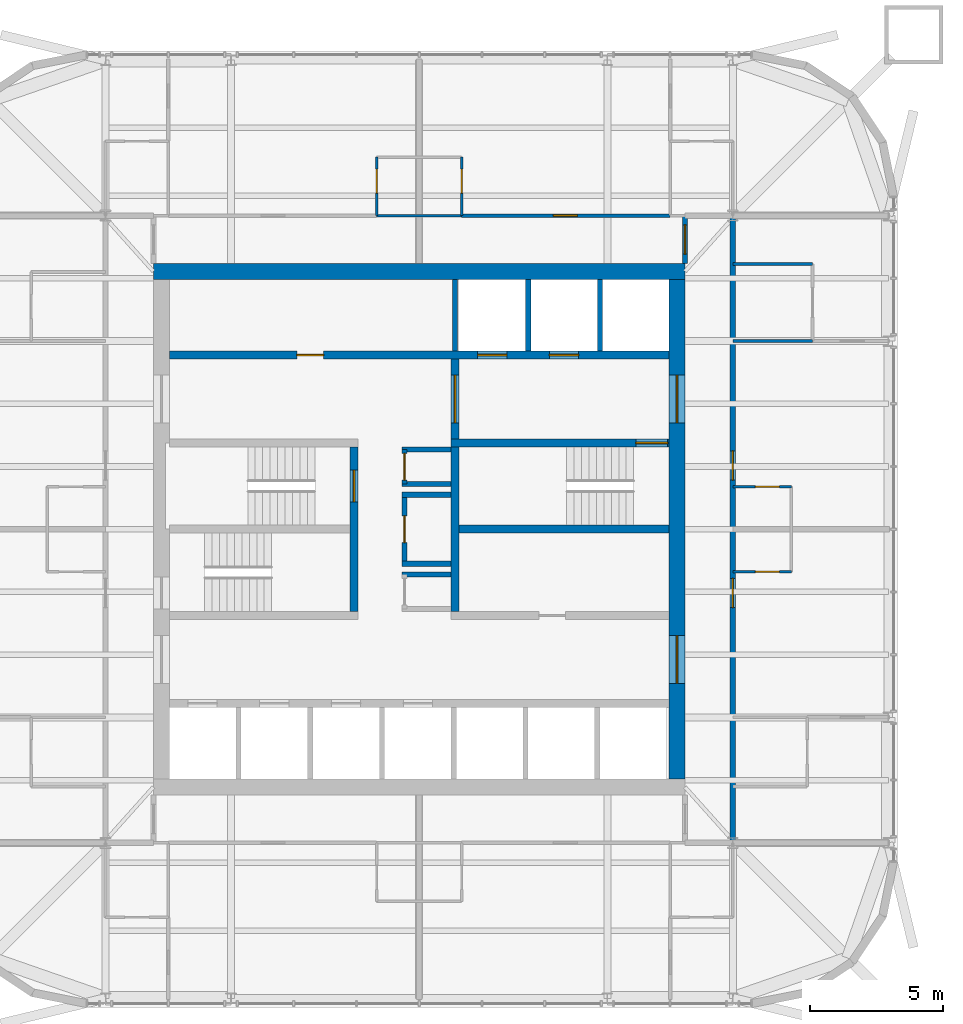
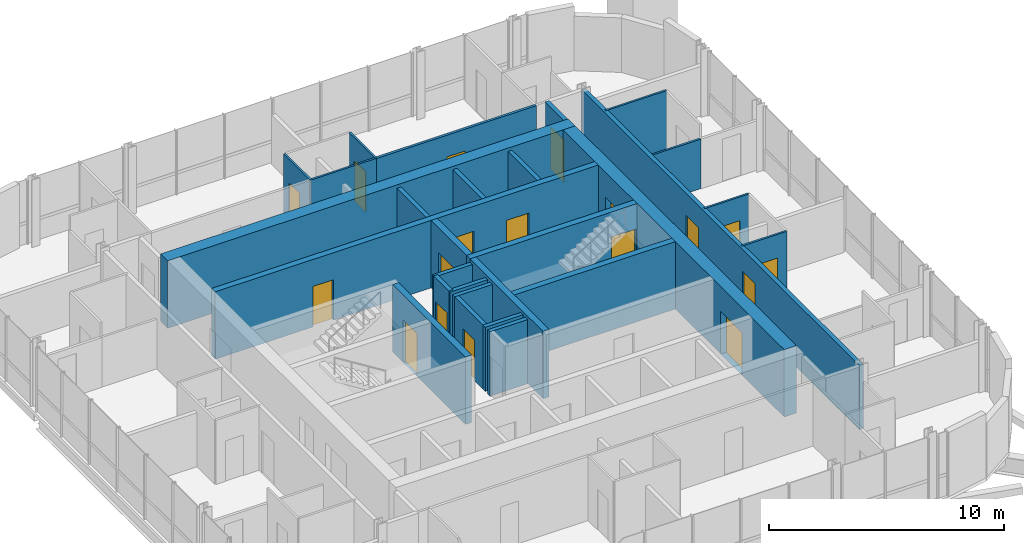
# One storey, part 14 of 16: 27 walls, 18 doors, 18 openings.
"""IFC4 building model written with IfcOpenShell, lengths in metres."""

from ifc_helpers import new_model, si_unit, direction, frame, frame_2d, origin, place, context, subcontext, project, spatial, rectangle, extrude, material, layer, layer_set, type_object, element, fill, save


model = new_model("IFC4")

# Units and contexts
model_context = context("Model", 3, precision=1e-05, world=origin(), true_north=direction((0.0, 1.0)))
body_context = subcontext(model_context, "Body", "Model", "MODEL_VIEW")
ifc_project = project(units=[si_unit("LENGTHUNIT", "METRE"), si_unit("AREAUNIT", "SQUARE_METRE"), si_unit("VOLUMEUNIT", "CUBIC_METRE"), si_unit("PLANEANGLEUNIT", "RADIAN"), si_unit("MASSUNIT", "GRAM", prefix="KILO")], contexts=[model_context])

# Site, building, storey
site_placement = place(None, origin())
site = spatial("IfcSite", under=ifc_project, at=site_placement, CompositionType="ELEMENT")
building_placement = place(site_placement, origin())
building = spatial("IfcBuilding", under=site, at=building_placement, Name="Turquesa Mirador Hotel Tower", CompositionType="ELEMENT")
storey_placement = place(building_placement, frame((0.0, 0.0, 230.199951171875)))
storey = spatial("IfcBuildingStorey", under=building, at=storey_placement, Name="L62", CompositionType="ELEMENT", Elevation=230.199951171875)

# Wall, opening, door
ifc_material_1 = material(Name="Gypsum board on steel studs", Category="steel")
ifc_layer_1 = layer(ifc_material_1, 0.10009765625)
ifc_layer_set_1 = layer_set([ifc_layer_1], Name="BATHROOM WALL 100")
wall_type_1 = type_object("IfcWallType", Name="BATHROOM WALL 100", PredefinedType="PARTITIONING", material=ifc_layer_set_1)
wall_1_placement = place(storey_placement, frame((66.800048828125, 43.39990234375, 0.0), z_axis=(0.0, 0.0, 1.0), x_axis=(1.0, 0.0, 0.0)))
wall_1 = element("IfcWall", 1, at=wall_1_placement, inside=storey, type_object=wall_type_1, Name="Partition L62 002", PredefinedType="PARTITIONING", context=body_context, shape_type="SweptSolid", body=[
    extrude(rectangle(XDim=2.199951171875, YDim=0.10009765625, at=frame_2d((1.10009765625, 0.0))), origin(), (0.0, 0.0, 1.0), 3.330078125),
])
opening_1_placement = place(wall_1_placement, frame((0.85009765625, 0.0, 0.0)))
opening_1 = element("IfcOpeningElement", 2, at=opening_1_placement, cuts=wall_1, Name="Opening D06", PredefinedType="OPENING", context=body_context, shape_type="SweptSolid", body=[
    extrude(rectangle(XDim=0.89990234375, YDim=2.10009765625, at=frame_2d((0.449951171875, 1.050048828125))), frame((0.0, 0.06005859375, 0.0), z_axis=(0.0, -1.0, 0.0), x_axis=(1.0, 0.0, 0.0)), (0.0, 0.0, 1.0), 0.1201171875),
])
ifc_material_2 = material(Name="Laminate door", Category="wood")
door_type_1 = type_object("IfcDoorType", Name="DOOR 900X2100 WC", OperationType="SINGLE_SWING_LEFT", PredefinedType="DOOR", material=ifc_material_2)
door_1_placement = place(opening_1_placement, origin())
door_1 = element("IfcDoor", 3, at=door_1_placement, inside=storey, type_object=door_type_1, Name="Door 6205W", OperationType="SINGLE_SWING_LEFT", OverallHeight=2.10009765625, OverallWidth=0.89990234375, PredefinedType="DOOR", context=body_context, shape_type="SweptSolid", body=[
    extrude(rectangle(XDim=0.89990234375, YDim=2.10009765625, at=frame_2d((0.449951171875, 1.050048828125))), frame((0.0, 0.02490234375, 0.0), z_axis=(0.0, -1.0, 0.0), x_axis=(1.0, 0.0, 0.0)), (0.0, 0.0, 1.0), 0.050048828125),
])
fill(opening_1, door_1)

wall_2_placement = place(storey_placement, frame((66.800048828125, 46.60009765625, 0.0), z_axis=(0.0, 0.0, 1.0), x_axis=(1.0, 0.0, 0.0)))
wall_2 = element("IfcWall", 4, at=wall_2_placement, inside=storey, type_object=wall_type_1, Name="Partition L62 024", PredefinedType="PARTITIONING", context=body_context, shape_type="SweptSolid", body=[
    extrude(rectangle(XDim=2.199951171875, YDim=0.10009765625, at=frame_2d((1.10009765625, 0.0))), origin(), (0.0, 0.0, 1.0), 3.330078125),
])
opening_2_placement = place(wall_2_placement, frame((0.85009765625, 0.0, 0.0)))
opening_2 = element("IfcOpeningElement", 5, at=opening_2_placement, cuts=wall_2, Name="Opening D06", PredefinedType="OPENING", context=body_context, shape_type="SweptSolid", body=[
    extrude(rectangle(XDim=0.89990234375, YDim=2.10009765625, at=frame_2d((0.449951171875, 1.050048828125))), frame((0.0, 0.06005859375, 0.0), z_axis=(0.0, -1.0, 0.0), x_axis=(1.0, 0.0, 0.0)), (0.0, 0.0, 1.0), 0.1201171875),
])
door_2_placement = place(opening_2_placement, origin())
door_2 = element("IfcDoor", 6, at=door_2_placement, inside=storey, type_object=door_type_1, Name="Door 6206W", OperationType="SINGLE_SWING_LEFT", OverallHeight=2.10009765625, OverallWidth=0.89990234375, PredefinedType="DOOR", context=body_context, shape_type="SweptSolid", body=[
    extrude(rectangle(XDim=0.89990234375, YDim=2.10009765625, at=frame_2d((0.449951171875, 1.050048828125))), frame((0.0, 0.02490234375, 0.0), z_axis=(0.0, -1.0, 0.0), x_axis=(1.0, 0.0, 0.0)), (0.0, 0.0, 1.0), 0.050048828125),
])
fill(opening_2, door_2)

# Walls
wall_3_placement = place(storey_placement, frame((53.39990234375, 56.800048828125, 0.0), z_axis=(0.0, 0.0, 1.0), x_axis=(1.0, 0.0, 0.0)))
element("IfcWall", 7, at=wall_3_placement, inside=storey, type_object=wall_type_1, Name="Partition L62 026", PredefinedType="PARTITIONING", context=body_context, shape_type="SweptSolid", body=[
    extrude(rectangle(XDim=3.2001953125, YDim=0.10009765625, at=frame_2d((1.60009765625, 0.0))), origin(), (0.0, 0.0, 1.0), 3.330078125),
])
wall_4_placement = place(storey_placement, frame((66.800048828125, 52.080078125, 0.0), z_axis=(0.0, 0.0, 1.0), x_axis=(1.0, 0.0, 0.0)))
element("IfcWall", 8, at=wall_4_placement, inside=storey, type_object=wall_type_1, Name="Partition L62 038", PredefinedType="PARTITIONING", context=body_context, shape_type="SweptSolid", body=[
    extrude(rectangle(XDim=3.0, YDim=0.10009765625, at=frame_2d((1.5, 0.0))), origin(), (0.0, 0.0, 1.0), 2.5732421875),
])
wall_5_placement = place(storey_placement, frame((66.800048828125, 54.97998046875, 0.0), z_axis=(0.0, 0.0, 1.0), x_axis=(1.0, 0.0, 0.0)))
element("IfcWall", 9, at=wall_5_placement, inside=storey, type_object=wall_type_1, Name="Partition L62 042", PredefinedType="PARTITIONING", context=body_context, shape_type="SweptSolid", body=[
    extrude(rectangle(XDim=3.0, YDim=0.10009765625, at=frame_2d((1.5, 0.0))), origin(), (0.0, 0.0, 1.0), 3.330078125),
])

# Wall, opening, door
wall_6_placement = place(storey_placement, frame((53.39990234375, 56.800048828125, 0.0), z_axis=(0.0, 0.0, 1.0), x_axis=(0.0, 1.0, 0.0)))
wall_6 = element("IfcWall", 10, at=wall_6_placement, inside=storey, type_object=wall_type_1, Name="Partition L62 044", PredefinedType="PARTITIONING", context=body_context, shape_type="SweptSolid", body=[
    extrude(rectangle(XDim=2.199951171875, YDim=0.10009765625, at=frame_2d((1.10009765625, 0.0))), origin(), (0.0, 0.0, 1.0), 3.330078125),
])
opening_3_placement = place(wall_6_placement, frame((0.85009765625, 0.0, 0.0)))
opening_3 = element("IfcOpeningElement", 11, at=opening_3_placement, cuts=wall_6, Name="Opening D06", PredefinedType="OPENING", context=body_context, shape_type="SweptSolid", body=[
    extrude(rectangle(XDim=0.89990234375, YDim=2.10009765625, at=frame_2d((0.449951171875, 1.050048828125))), frame((0.0, 0.06005859375, 0.0), z_axis=(0.0, -1.0, 0.0), x_axis=(1.0, 0.0, 0.0)), (0.0, 0.0, 1.0), 0.1201171875),
])
door_3_placement = place(opening_3_placement, origin())
door_3 = element("IfcDoor", 12, at=door_3_placement, inside=storey, type_object=door_type_1, Name="Door 6201W", OperationType="SINGLE_SWING_LEFT", OverallHeight=2.10009765625, OverallWidth=0.89990234375, PredefinedType="DOOR", context=body_context, shape_type="SweptSolid", body=[
    extrude(rectangle(XDim=0.89990234375, YDim=2.10009765625, at=frame_2d((0.449951171875, 1.050048828125))), frame((0.0, 0.02490234375, 0.0), z_axis=(0.0, -1.0, 0.0), x_axis=(1.0, 0.0, 0.0)), (0.0, 0.0, 1.0), 0.050048828125),
])
fill(opening_3, door_3)

wall_7_placement = place(storey_placement, frame((56.60009765625, 56.800048828125, 0.0), z_axis=(0.0, 0.0, 1.0), x_axis=(0.0, 1.0, 0.0)))
wall_7 = element("IfcWall", 13, at=wall_7_placement, inside=storey, type_object=wall_type_1, Name="Partition L62 060", PredefinedType="PARTITIONING", context=body_context, shape_type="SweptSolid", body=[
    extrude(rectangle(XDim=2.199951171875, YDim=0.10009765625, at=frame_2d((1.10009765625, 0.0))), origin(), (0.0, 0.0, 1.0), 3.330078125),
])
opening_4_placement = place(wall_7_placement, frame((0.85009765625, 0.0, 0.0)))
opening_4 = element("IfcOpeningElement", 14, at=opening_4_placement, cuts=wall_7, Name="Opening D06", PredefinedType="OPENING", context=body_context, shape_type="SweptSolid", body=[
    extrude(rectangle(XDim=0.89990234375, YDim=2.10009765625, at=frame_2d((0.449951171875, 1.050048828125))), frame((0.0, 0.06005859375, 0.0), z_axis=(0.0, -1.0, 0.0), x_axis=(1.0, 0.0, 0.0)), (0.0, 0.0, 1.0), 0.1201171875),
])
door_4_placement = place(opening_4_placement, origin())
door_4 = element("IfcDoor", 15, at=door_4_placement, inside=storey, type_object=door_type_1, Name="Door 6202W", OperationType="SINGLE_SWING_LEFT", OverallHeight=2.10009765625, OverallWidth=0.89990234375, PredefinedType="DOOR", context=body_context, shape_type="SweptSolid", body=[
    extrude(rectangle(XDim=0.89990234375, YDim=2.10009765625, at=frame_2d((0.449951171875, 1.050048828125))), frame((0.0, 0.02490234375, 0.0), z_axis=(0.0, -1.0, 0.0), x_axis=(1.0, 0.0, 0.0)), (0.0, 0.0, 1.0), 0.050048828125),
])
fill(opening_4, door_4)

# Wall, openings, doors
ifc_material_3 = material(Name="Concrete C50/60", Category="concrete")
ifc_layer_2 = layer(ifc_material_3, 0.300048828125)
ifc_layer_set_2 = layer_set([ifc_layer_2], Name="CORE INNER WALL 300")
wall_type_2 = type_object("IfcWallType", Name="CORE INNER WALL 300", PredefinedType="SHEAR", material=ifc_layer_set_2)
wall_8_placement = place(storey_placement, frame((45.60009765625, 51.550048828125, 0.0), z_axis=(0.0, 0.0, 1.0), x_axis=(1.0, 0.0, 0.0)))
wall_8 = element("IfcWall", 16, at=wall_8_placement, inside=storey, type_object=wall_type_2, Name="Core wall NL", PredefinedType="SHEAR", context=body_context, shape_type="SweptSolid", body=[
    extrude(rectangle(XDim=18.7998046875, YDim=0.300048828125, at=frame_2d((9.39990234375, 0.0))), origin(), (0.0, 0.0, 1.0), 3.5),
])
opening_5_placement = place(wall_8_placement, frame((4.800048828125, 0.0, 0.0)))
opening_5 = element("IfcOpeningElement", 17, at=opening_5_placement, cuts=wall_8, Name="Opening D05", PredefinedType="OPENING", context=body_context, shape_type="SweptSolid", body=[
    extrude(rectangle(XDim=1.0, YDim=2.10009765625, at=frame_2d((0.5, 1.050048828125))), frame((0.0, 0.159912109375, 0.0), z_axis=(0.0, -1.0, 0.0), x_axis=(1.0, 0.0, 0.0)), (0.0, 0.0, 1.0), 0.320068359375),
])
opening_6_placement = place(wall_8_placement, frame((11.60009765625, 0.0, 0.0)))
opening_6 = element("IfcOpeningElement", 18, at=opening_6_placement, cuts=wall_8, Name="Opening LD", PredefinedType="OPENING", context=body_context, shape_type="SweptSolid", body=[
    extrude(rectangle(XDim=1.10009765625, YDim=2.199951171875, at=frame_2d((0.550048828125, 1.10009765625))), frame((0.0, 0.159912109375, 0.0), z_axis=(0.0, -1.0, 0.0), x_axis=(1.0, 0.0, 0.0)), (0.0, 0.0, 1.0), 0.320068359375),
])
opening_7_placement = place(wall_8_placement, frame((14.300048828125, 0.0, 0.0)))
opening_7 = element("IfcOpeningElement", 19, at=opening_7_placement, cuts=wall_8, Name="Opening LD", PredefinedType="OPENING", context=body_context, shape_type="SweptSolid", body=[
    extrude(rectangle(XDim=1.10009765625, YDim=2.199951171875, at=frame_2d((0.550048828125, 1.10009765625))), frame((0.0, 0.159912109375, 0.0), z_axis=(0.0, -1.0, 0.0), x_axis=(1.0, 0.0, 0.0)), (0.0, 0.0, 1.0), 0.320068359375),
])
ifc_material_4 = material(Name="Steel fire door", Category="steel")
door_type_2 = type_object("IfcDoorType", Name="DOOR 1000X2100 SERVICE", OperationType="SINGLE_SWING_LEFT", PredefinedType="DOOR", material=ifc_material_4)
door_5_placement = place(opening_5_placement, origin())
door_5 = element("IfcDoor", 20, at=door_5_placement, inside=storey, type_object=door_type_2, Name="Linen store door", OperationType="SINGLE_SWING_LEFT", OverallHeight=2.10009765625, OverallWidth=1.0, PredefinedType="DOOR", context=body_context, shape_type="SweptSolid", body=[
    extrude(rectangle(XDim=1.0, YDim=2.10009765625, at=frame_2d((0.5, 1.050048828125))), frame((0.0, 0.02490234375, 0.0), z_axis=(0.0, -1.0, 0.0), x_axis=(1.0, 0.0, 0.0)), (0.0, 0.0, 1.0), 0.050048828125),
])
fill(opening_5, door_5)
ifc_material_5 = material(Name="Stainless steel lift landing door", Category="steel")
door_type_3 = type_object("IfcDoorType", Name="LIFT LANDING DOOR 1100X2200", OperationType="SLIDING_TO_LEFT", PredefinedType="DOOR", material=ifc_material_5)
door_6_placement = place(opening_6_placement, origin())
door_6 = element("IfcDoor", 21, at=door_6_placement, inside=storey, type_object=door_type_3, Name="Lift S1 landing door", OperationType="SLIDING_TO_LEFT", OverallHeight=2.199951171875, OverallWidth=1.10009765625, PredefinedType="DOOR", context=body_context, shape_type="SweptSolid", body=[
    extrude(rectangle(XDim=1.10009765625, YDim=2.199951171875, at=frame_2d((0.550048828125, 1.10009765625))), frame((0.0, 0.02490234375, 0.0), z_axis=(0.0, -1.0, 0.0), x_axis=(1.0, 0.0, 0.0)), (0.0, 0.0, 1.0), 0.050048828125),
])
fill(opening_6, door_6)
door_7_placement = place(opening_7_placement, origin())
door_7 = element("IfcDoor", 22, at=door_7_placement, inside=storey, type_object=door_type_3, Name="Lift S2 landing door", OperationType="SLIDING_TO_LEFT", OverallHeight=2.199951171875, OverallWidth=1.10009765625, PredefinedType="DOOR", context=body_context, shape_type="SweptSolid", body=[
    extrude(rectangle(XDim=1.10009765625, YDim=2.199951171875, at=frame_2d((0.550048828125, 1.10009765625))), frame((0.0, 0.02490234375, 0.0), z_axis=(0.0, -1.0, 0.0), x_axis=(1.0, 0.0, 0.0)), (0.0, 0.0, 1.0), 0.050048828125),
])
fill(opening_7, door_7)

# Wall, opening, door
wall_9_placement = place(storey_placement, frame((56.199951171875, 48.25, 0.0), z_axis=(0.0, 0.0, 1.0), x_axis=(1.0, 0.0, 0.0)))
wall_9 = element("IfcWall", 23, at=wall_9_placement, inside=storey, type_object=wall_type_2, Name="Core wall MN-E", PredefinedType="SHEAR", context=body_context, shape_type="SweptSolid", body=[
    extrude(rectangle(XDim=8.199951171875, YDim=0.300048828125, at=frame_2d((4.10009765625, 0.0))), origin(), (0.0, 0.0, 1.0), 3.5),
])
opening_8_placement = place(wall_9_placement, frame((6.949951171875, 0.0, 0.0)))
opening_8 = element("IfcOpeningElement", 24, at=opening_8_placement, cuts=wall_9, Name="Opening D03", PredefinedType="OPENING", context=body_context, shape_type="SweptSolid", body=[
    extrude(rectangle(XDim=1.199951171875, YDim=2.199951171875, at=frame_2d((0.60009765625, 1.10009765625))), frame((0.0, 0.159912109375, 0.0), z_axis=(0.0, -1.0, 0.0), x_axis=(1.0, 0.0, 0.0)), (0.0, 0.0, 1.0), 0.320068359375),
])
ifc_material_6 = material(Name="Steel fire door", Category="steel")
door_type_4 = type_object("IfcDoorType", Name="DOOR 1200X2200 STAIR", OperationType="SINGLE_SWING_LEFT", PredefinedType="DOOR", material=ifc_material_6)
door_8_placement = place(opening_8_placement, origin())
door_8 = element("IfcDoor", 25, at=door_8_placement, inside=storey, type_object=door_type_4, Name="Stair ST3 door", OperationType="SINGLE_SWING_LEFT", OverallHeight=2.199951171875, OverallWidth=1.199951171875, PredefinedType="DOOR", context=body_context, shape_type="SweptSolid", body=[
    extrude(rectangle(XDim=1.199951171875, YDim=2.199951171875, at=frame_2d((0.60009765625, 1.10009765625))), frame((0.0, 0.02490234375, 0.0), z_axis=(0.0, -1.0, 0.0), x_axis=(1.0, 0.0, 0.0)), (0.0, 0.0, 1.0), 0.050048828125),
])
fill(opening_8, door_8)

wall_10_placement = place(storey_placement, frame((52.550048828125, 41.89990234375, 0.0), z_axis=(0.0, 0.0, 1.0), x_axis=(0.0, 1.0, 0.0)))
wall_10 = element("IfcWall", 26, at=wall_10_placement, inside=storey, type_object=wall_type_2, Name="Core wall PW", PredefinedType="SHEAR", context=body_context, shape_type="SweptSolid", body=[
    extrude(rectangle(XDim=6.2001953125, YDim=0.300048828125, at=frame_2d((3.10009765625, 0.0))), origin(), (0.0, 0.0, 1.0), 3.5),
])
opening_9_placement = place(wall_10_placement, frame((4.125, 0.0, 0.0)))
opening_9 = element("IfcOpeningElement", 27, at=opening_9_placement, cuts=wall_10, Name="Opening D03", PredefinedType="OPENING", context=body_context, shape_type="SweptSolid", body=[
    extrude(rectangle(XDim=1.199951171875, YDim=2.199951171875, at=frame_2d((0.60009765625, 1.10009765625))), frame((0.0, 0.159912109375, 0.0), z_axis=(0.0, -1.0, 0.0), x_axis=(1.0, 0.0, 0.0)), (0.0, 0.0, 1.0), 0.320068359375),
])
door_9_placement = place(opening_9_placement, origin())
door_9 = element("IfcDoor", 28, at=door_9_placement, inside=storey, type_object=door_type_4, Name="Stair ST1 door", OperationType="SINGLE_SWING_LEFT", OverallHeight=2.199951171875, OverallWidth=1.199951171875, PredefinedType="DOOR", context=body_context, shape_type="SweptSolid", body=[
    extrude(rectangle(XDim=1.199951171875, YDim=2.199951171875, at=frame_2d((0.60009765625, 1.10009765625))), frame((0.0, 0.02490234375, 0.0), z_axis=(0.0, -1.0, 0.0), x_axis=(1.0, 0.0, 0.0)), (0.0, 0.0, 1.0), 0.050048828125),
])
fill(opening_9, door_9)

wall_11_placement = place(storey_placement, frame((56.35009765625, 41.89990234375, 0.0), z_axis=(0.0, 0.0, 1.0), x_axis=(0.0, 1.0, 0.0)))
wall_11 = element("IfcWall", 29, at=wall_11_placement, inside=storey, type_object=wall_type_2, Name="Core wall PE", PredefinedType="SHEAR", context=body_context, shape_type="SweptSolid", body=[
    extrude(rectangle(XDim=9.5, YDim=0.300048828125, at=frame_2d((4.75, 0.0))), origin(), (0.0, 0.0, 1.0), 3.5),
])
opening_10_placement = place(wall_11_placement, frame((7.10009765625, 0.0, 0.0)))
opening_10 = element("IfcOpeningElement", 30, at=opening_10_placement, cuts=wall_11, Name="Opening D04", PredefinedType="OPENING", context=body_context, shape_type="SweptSolid", body=[
    extrude(rectangle(XDim=1.800048828125, YDim=2.199951171875, at=frame_2d((0.89990234375, 1.10009765625))), frame((0.0, 0.159912109375, 0.0), z_axis=(0.0, -1.0, 0.0), x_axis=(1.0, 0.0, 0.0)), (0.0, 0.0, 1.0), 0.320068359375),
])
ifc_material_7 = material(Name="Steel fire door pair", Category="steel")
door_type_5 = type_object("IfcDoorType", Name="DOOR 1800X2200 PAIR", OperationType="DOUBLE_DOOR_SINGLE_SWING", PredefinedType="DOOR", material=ifc_material_7)
door_10_placement = place(opening_10_placement, origin())
door_10 = element("IfcDoor", 31, at=door_10_placement, inside=storey, type_object=door_type_5, Name="Firefighting lobby inner door", OperationType="DOUBLE_DOOR_SINGLE_SWING", OverallHeight=2.199951171875, OverallWidth=1.800048828125, PredefinedType="DOOR", context=body_context, shape_type="SweptSolid", body=[
    extrude(rectangle(XDim=1.800048828125, YDim=2.199951171875, at=frame_2d((0.89990234375, 1.10009765625))), frame((0.0, 0.02490234375, 0.0), z_axis=(0.0, -1.0, 0.0), x_axis=(1.0, 0.0, 0.0)), (0.0, 0.0, 1.0), 0.050048828125),
])
fill(opening_10, door_10)

# Walls
wall_12_placement = place(storey_placement, frame((56.5, 45.0, 0.0), z_axis=(0.0, 0.0, 1.0), x_axis=(1.0, 0.0, 0.0)))
element("IfcWall", 32, at=wall_12_placement, inside=storey, type_object=wall_type_2, Name="Core wall M0-E", PredefinedType="SHEAR", context=body_context, shape_type="SweptSolid", body=[
    extrude(rectangle(XDim=7.89990234375, YDim=0.300048828125, at=frame_2d((3.949951171875, 0.0))), origin(), (0.0, 0.0, 1.0), 3.5),
])
ifc_material_8 = material(Name="Concrete C50/60", Category="concrete")
ifc_layer_3 = layer(ifc_material_8, 0.60009765625)
ifc_layer_set_3 = layer_set([ifc_layer_3], Name="CORE WALL 600")
wall_type_3 = type_object("IfcWallType", Name="CORE WALL 600", PredefinedType="SHEAR", material=ifc_layer_set_3)
wall_13_placement = place(storey_placement, frame((45.0, 54.699951171875, 0.0), z_axis=(0.0, 0.0, 1.0), x_axis=(1.0, 0.0, 0.0)))
element("IfcWall", 33, at=wall_13_placement, inside=storey, type_object=wall_type_3, Name="Core wall N", PredefinedType="SHEAR", context=body_context, shape_type="SweptSolid", body=[
    extrude(rectangle(XDim=20.0, YDim=0.60009765625, at=frame_2d((10.0, 0.0))), origin(), (0.0, 0.0, 1.0), 3.5),
])

# Wall, openings, doors
wall_14_placement = place(storey_placement, frame((64.699951171875, 35.60009765625, 0.0), z_axis=(0.0, 0.0, 1.0), x_axis=(0.0, 1.0, 0.0)))
wall_14 = element("IfcWall", 34, at=wall_14_placement, inside=storey, type_object=wall_type_3, Name="Core wall E", PredefinedType="SHEAR", context=body_context, shape_type="SweptSolid", body=[
    extrude(rectangle(XDim=18.7998046875, YDim=0.60009765625, at=frame_2d((9.39990234375, 0.0))), origin(), (0.0, 0.0, 1.0), 3.5),
])
opening_11_placement = place(wall_14_placement, frame((13.39990234375, 0.0, 0.0)))
opening_11 = element("IfcOpeningElement", 35, at=opening_11_placement, cuts=wall_14, Name="Opening D04", PredefinedType="OPENING", context=body_context, shape_type="SweptSolid", body=[
    extrude(rectangle(XDim=1.800048828125, YDim=2.199951171875, at=frame_2d((0.89990234375, 1.10009765625))), frame((0.0, 0.31005859375, 0.0), z_axis=(0.0, -1.0, 0.0), x_axis=(1.0, 0.0, 0.0)), (0.0, 0.0, 1.0), 0.6201171875),
])
opening_12_placement = place(wall_14_placement, frame((3.60009765625, 0.0, 0.0)))
opening_12 = element("IfcOpeningElement", 36, at=opening_12_placement, cuts=wall_14, Name="Opening D04", PredefinedType="OPENING", context=body_context, shape_type="SweptSolid", body=[
    extrude(rectangle(XDim=1.800048828125, YDim=2.199951171875, at=frame_2d((0.89990234375, 1.10009765625))), frame((0.0, 0.31005859375, 0.0), z_axis=(0.0, -1.0, 0.0), x_axis=(1.0, 0.0, 0.0)), (0.0, 0.0, 1.0), 0.6201171875),
])
door_11_placement = place(opening_11_placement, origin())
door_11 = element("IfcDoor", 37, at=door_11_placement, inside=storey, type_object=door_type_5, Name="Firefighting lobby door", OperationType="DOUBLE_DOOR_SINGLE_SWING", OverallHeight=2.199951171875, OverallWidth=1.800048828125, PredefinedType="DOOR", context=body_context, shape_type="SweptSolid", body=[
    extrude(rectangle(XDim=1.800048828125, YDim=2.199951171875, at=frame_2d((0.89990234375, 1.10009765625))), frame((0.0, 0.02490234375, 0.0), z_axis=(0.0, -1.0, 0.0), x_axis=(1.0, 0.0, 0.0)), (0.0, 0.0, 1.0), 0.050048828125),
])
fill(opening_11, door_11)
door_12_placement = place(opening_12_placement, origin())
door_12 = element("IfcDoor", 38, at=door_12_placement, inside=storey, type_object=door_type_5, Name="South lift lobby door", OperationType="DOUBLE_DOOR_SINGLE_SWING", OverallHeight=2.199951171875, OverallWidth=1.800048828125, PredefinedType="DOOR", context=body_context, shape_type="SweptSolid", body=[
    extrude(rectangle(XDim=1.800048828125, YDim=2.199951171875, at=frame_2d((0.89990234375, 1.10009765625))), frame((0.0, 0.02490234375, 0.0), z_axis=(0.0, -1.0, 0.0), x_axis=(1.0, 0.0, 0.0)), (0.0, 0.0, 1.0), 0.050048828125),
])
fill(opening_12, door_12)

# Wall, opening, door
ifc_material_9 = material(Name="Fire-rated gypsum board on steel studs", Category="steel")
ifc_layer_4 = layer(ifc_material_9, 0.199951171875)
ifc_layer_set_4 = layer_set([ifc_layer_4], Name="CORRIDOR WALL 200")
wall_type_4 = type_object("IfcWallType", Name="CORRIDOR WALL 200", PredefinedType="PARTITIONING", material=ifc_layer_set_4)
wall_15_placement = place(storey_placement, frame((65.0, 55.0, 0.0), z_axis=(0.0, 0.0, 1.0), x_axis=(0.0, 1.0, 0.0)))
wall_15 = element("IfcWall", 39, at=wall_15_placement, inside=storey, type_object=wall_type_4, Name="Partition L62 062", PredefinedType="PARTITIONING", context=body_context, shape_type="SweptSolid", body=[
    extrude(rectangle(XDim=1.800048828125, YDim=0.199951171875, at=frame_2d((0.89990234375, 0.0))), origin(), (0.0, 0.0, 1.0), 3.330078125),
])
opening_13_placement = place(wall_15_placement, frame((0.35009765625, 0.0, 0.0)))
opening_13 = element("IfcOpeningElement", 40, at=opening_13_placement, cuts=wall_15, Name="Opening D15", PredefinedType="OPENING", context=body_context, shape_type="SweptSolid", body=[
    extrude(rectangle(XDim=1.10009765625, YDim=2.199951171875, at=frame_2d((0.550048828125, 1.10009765625))), frame((0.0, 0.10986328125, 0.0), z_axis=(0.0, -1.0, 0.0), x_axis=(1.0, 0.0, 0.0)), (0.0, 0.0, 1.0), 0.219970703125),
])
ifc_material_10 = material(Name="Timber veneered fire door", Category="wood")
door_type_6 = type_object("IfcDoorType", Name="DOOR 1100X2200 SUITE ENTRY", OperationType="SINGLE_SWING_LEFT", PredefinedType="DOOR", material=ifc_material_10)
door_13_placement = place(opening_13_placement, origin())
door_13 = element("IfcDoor", 41, at=door_13_placement, inside=storey, type_object=door_type_6, Name="Door 6202G", OperationType="SINGLE_SWING_LEFT", OverallHeight=2.199951171875, OverallWidth=1.10009765625, PredefinedType="DOOR", context=body_context, shape_type="SweptSolid", body=[
    extrude(rectangle(XDim=1.10009765625, YDim=2.199951171875, at=frame_2d((0.550048828125, 1.10009765625))), frame((0.0, 0.02490234375, 0.0), z_axis=(0.0, -1.0, 0.0), x_axis=(1.0, 0.0, 0.0)), (0.0, 0.0, 1.0), 0.050048828125),
])
fill(opening_13, door_13)

# Wall, openings, doors
wall_16_placement = place(storey_placement, frame((66.800048828125, 33.199951171875, 0.0), z_axis=(0.0, 0.0, 1.0), x_axis=(0.0, 1.0, 0.0)))
wall_16 = element("IfcWall", 42, at=wall_16_placement, inside=storey, type_object=wall_type_4, Name="Partition L62 065", PredefinedType="PARTITIONING", context=body_context, shape_type="SweptSolid", body=[
    extrude(rectangle(XDim=23.60009765625, YDim=0.199951171875, at=frame_2d((11.800048828125, 0.0))), origin(), (0.0, 0.0, 1.0), 3.330078125),
])
opening_14_placement = place(wall_16_placement, frame((8.85009765625, 0.0, 0.0)))
opening_14 = element("IfcOpeningElement", 43, at=opening_14_placement, cuts=wall_16, Name="Opening D15", PredefinedType="OPENING", context=body_context, shape_type="SweptSolid", body=[
    extrude(rectangle(XDim=1.10009765625, YDim=2.199951171875, at=frame_2d((0.550048828125, 1.10009765625))), frame((0.0, 0.10986328125, 0.0), z_axis=(0.0, -1.0, 0.0), x_axis=(1.0, 0.0, 0.0)), (0.0, 0.0, 1.0), 0.219970703125),
])
opening_15_placement = place(wall_16_placement, frame((13.64990234375, 0.0, 0.0)))
opening_15 = element("IfcOpeningElement", 44, at=opening_15_placement, cuts=wall_16, Name="Opening D15", PredefinedType="OPENING", context=body_context, shape_type="SweptSolid", body=[
    extrude(rectangle(XDim=1.10009765625, YDim=2.199951171875, at=frame_2d((0.550048828125, 1.10009765625))), frame((0.0, 0.10986328125, 0.0), z_axis=(0.0, -1.0, 0.0), x_axis=(1.0, 0.0, 0.0)), (0.0, 0.0, 1.0), 0.219970703125),
])
door_14_placement = place(opening_14_placement, origin())
door_14 = element("IfcDoor", 45, at=door_14_placement, inside=storey, type_object=door_type_6, Name="Door 6205", OperationType="SINGLE_SWING_LEFT", OverallHeight=2.199951171875, OverallWidth=1.10009765625, PredefinedType="DOOR", context=body_context, shape_type="SweptSolid", body=[
    extrude(rectangle(XDim=1.10009765625, YDim=2.199951171875, at=frame_2d((0.550048828125, 1.10009765625))), frame((0.0, 0.02490234375, 0.0), z_axis=(0.0, -1.0, 0.0), x_axis=(1.0, 0.0, 0.0)), (0.0, 0.0, 1.0), 0.050048828125),
])
fill(opening_14, door_14)
door_15_placement = place(opening_15_placement, origin())
door_15 = element("IfcDoor", 46, at=door_15_placement, inside=storey, type_object=door_type_6, Name="Door 6206", OperationType="SINGLE_SWING_LEFT", OverallHeight=2.199951171875, OverallWidth=1.10009765625, PredefinedType="DOOR", context=body_context, shape_type="SweptSolid", body=[
    extrude(rectangle(XDim=1.10009765625, YDim=2.199951171875, at=frame_2d((0.550048828125, 1.10009765625))), frame((0.0, 0.02490234375, 0.0), z_axis=(0.0, -1.0, 0.0), x_axis=(1.0, 0.0, 0.0)), (0.0, 0.0, 1.0), 0.050048828125),
])
fill(opening_15, door_15)

# Wall
ifc_material_11 = material(Name="Fire-rated gypsum board on steel studs", Category="steel")
ifc_layer_5 = layer(ifc_material_11, 0.199951171875)
ifc_layer_set_5 = layer_set([ifc_layer_5], Name="FIRE PARTITION 200")
wall_type_5 = type_object("IfcWallType", Name="FIRE PARTITION 200", PredefinedType="PARTITIONING", material=ifc_layer_set_5)
wall_17_placement = place(storey_placement, frame((54.35009765625, 43.300048828125, 0.0), z_axis=(0.0, 0.0, 1.0), x_axis=(1.0, 0.0, 0.0)))
element("IfcWall", 47, at=wall_17_placement, inside=storey, type_object=wall_type_5, Name="Partition L62 VR N", PredefinedType="PARTITIONING", context=body_context, shape_type="SweptSolid", body=[
    extrude(rectangle(XDim=1.849853515625, YDim=0.199951171875, at=frame_2d((0.9248046875, 0.0))), origin(), (0.0, 0.0, 1.0), 3.330078125),
])

# Wall, opening, door
wall_18_placement = place(storey_placement, frame((54.449951171875, 43.699951171875, 0.0), z_axis=(0.0, 0.0, 1.0), x_axis=(0.0, 1.0, 0.0)))
wall_18 = element("IfcWall", 48, at=wall_18_placement, inside=storey, type_object=wall_type_5, Name="Partition L62 BO W", PredefinedType="PARTITIONING", context=body_context, shape_type="SweptSolid", body=[
    extrude(rectangle(XDim=2.60009765625, YDim=0.199951171875, at=frame_2d((1.300048828125, 0.0))), origin(), (0.0, 0.0, 1.0), 3.330078125),
])
opening_16_placement = place(wall_18_placement, frame((0.800048828125, 0.0, 0.0)))
opening_16 = element("IfcOpeningElement", 49, at=opening_16_placement, cuts=wall_18, Name="Opening D05", PredefinedType="OPENING", context=body_context, shape_type="SweptSolid", body=[
    extrude(rectangle(XDim=1.0, YDim=2.10009765625, at=frame_2d((0.5, 1.050048828125))), frame((0.0, 0.10986328125, 0.0), z_axis=(0.0, -1.0, 0.0), x_axis=(1.0, 0.0, 0.0)), (0.0, 0.0, 1.0), 0.219970703125),
])
door_16_placement = place(opening_16_placement, origin())
door_16 = element("IfcDoor", 50, at=door_16_placement, inside=storey, type_object=door_type_2, Name="Butler's pantry door", OperationType="SINGLE_SWING_LEFT", OverallHeight=2.10009765625, OverallWidth=1.0, PredefinedType="DOOR", context=body_context, shape_type="SweptSolid", body=[
    extrude(rectangle(XDim=1.0, YDim=2.10009765625, at=frame_2d((0.5, 1.050048828125))), frame((0.0, 0.02490234375, 0.0), z_axis=(0.0, -1.0, 0.0), x_axis=(1.0, 0.0, 0.0)), (0.0, 0.0, 1.0), 0.050048828125),
])
fill(opening_16, door_16)

# Walls
for number, where, z_axis, x_axis, name in (
    (51, (54.35009765625, 43.699951171875, 0.0), (0.0, 0.0, 1.0), (1.0, 0.0, 0.0), "Partition L62 BO S"),
    (52, (54.35009765625, 46.300048828125, 0.0), (0.0, 0.0, 1.0), (1.0, 0.0, 0.0), "Partition L62 BO N"),
):
    element("IfcWall", number, at=place(storey_placement, frame(where, z_axis=z_axis, x_axis=x_axis)), inside=storey, type_object=wall_type_5, Name=name, PredefinedType="PARTITIONING", context=body_context, shape_type="SweptSolid", body=[
        extrude(rectangle(XDim=1.849853515625, YDim=0.199951171875, at=frame_2d((0.9248046875, 0.0))), origin(), (0.0, 0.0, 1.0), 3.330078125),
    ])

# Wall, opening, door
wall_19_placement = place(storey_placement, frame((54.449951171875, 46.699951171875, 0.0), z_axis=(0.0, 0.0, 1.0), x_axis=(0.0, 1.0, 0.0)))
wall_19 = element("IfcWall", 53, at=wall_19_placement, inside=storey, type_object=wall_type_5, Name="Partition L62 SW W", PredefinedType="PARTITIONING", context=body_context, shape_type="SweptSolid", body=[
    extrude(rectangle(XDim=1.300048828125, YDim=0.199951171875, at=frame_2d((0.64990234375, 0.0))), origin(), (0.0, 0.0, 1.0), 3.330078125),
])
opening_17_placement = place(wall_19_placement, frame((0.14990234375, 0.0, 0.0)))
opening_17 = element("IfcOpeningElement", 54, at=opening_17_placement, cuts=wall_19, Name="Opening D05", PredefinedType="OPENING", context=body_context, shape_type="SweptSolid", body=[
    extrude(rectangle(XDim=1.0, YDim=2.10009765625, at=frame_2d((0.5, 1.050048828125))), frame((0.0, 0.10986328125, 0.0), z_axis=(0.0, -1.0, 0.0), x_axis=(1.0, 0.0, 0.0)), (0.0, 0.0, 1.0), 0.219970703125),
])
door_17_placement = place(opening_17_placement, origin())
door_17 = element("IfcDoor", 55, at=door_17_placement, inside=storey, type_object=door_type_2, Name="Staff WC door", OperationType="SINGLE_SWING_LEFT", OverallHeight=2.10009765625, OverallWidth=1.0, PredefinedType="DOOR", context=body_context, shape_type="SweptSolid", body=[
    extrude(rectangle(XDim=1.0, YDim=2.10009765625, at=frame_2d((0.5, 1.050048828125))), frame((0.0, 0.02490234375, 0.0), z_axis=(0.0, -1.0, 0.0), x_axis=(1.0, 0.0, 0.0)), (0.0, 0.0, 1.0), 0.050048828125),
])
fill(opening_17, door_17)

# Walls
for number, where, z_axis, x_axis, name in (
    (56, (54.35009765625, 46.699951171875, 0.0), (0.0, 0.0, 1.0), (1.0, 0.0, 0.0), "Partition L62 SW S"),
    (57, (54.35009765625, 48.0, 0.0), (0.0, 0.0, 1.0), (1.0, 0.0, 0.0), "Partition L62 SW N"),
):
    element("IfcWall", number, at=place(storey_placement, frame(where, z_axis=z_axis, x_axis=x_axis)), inside=storey, type_object=wall_type_5, Name=name, PredefinedType="PARTITIONING", context=body_context, shape_type="SweptSolid", body=[
        extrude(rectangle(XDim=1.849853515625, YDim=0.199951171875, at=frame_2d((0.9248046875, 0.0))), origin(), (0.0, 0.0, 1.0), 3.330078125),
    ])
ifc_material_12 = material(Name="Fire-rated gypsum shaft wall on steel studs", Category="steel")
ifc_layer_6 = layer(ifc_material_12, 0.199951171875)
ifc_layer_set_6 = layer_set([ifc_layer_6], Name="LIFT SHAFT DIVIDER 200")
wall_type_6 = type_object("IfcWallType", Name="LIFT SHAFT DIVIDER 200", PredefinedType="PARTITIONING", material=ifc_layer_set_6)
for number, where, z_axis, x_axis, name in (
    (58, (59.10009765625, 51.699951171875, 0.0), (0.0, 0.0, 1.0), (0.0, 1.0, 0.0), "Lift shaft divider"),
    (59, (61.800048828125, 51.699951171875, 0.0), (0.0, 0.0, 1.0), (0.0, 1.0, 0.0), "Lift shaft divider"),
    (60, (56.35009765625, 51.699951171875, 0.0), (0.0, 0.0, 1.0), (0.0, 1.0, 0.0), "Lift shaft divider"),
):
    element("IfcWall", number, at=place(storey_placement, frame(where, z_axis=z_axis, x_axis=x_axis)), inside=storey, type_object=wall_type_6, Name=name, PredefinedType="PARTITIONING", context=body_context, shape_type="SweptSolid", body=[
        extrude(rectangle(XDim=2.699951171875, YDim=0.199951171875, at=frame_2d((1.35009765625, 0.0))), origin(), (0.0, 0.0, 1.0), 3.330078125),
    ])

# Wall, opening, door
ifc_material_13 = material(Name="Acoustic gypsum board on steel studs", Category="steel")
ifc_layer_7 = layer(ifc_material_13, 0.125)
ifc_layer_set_7 = layer_set([ifc_layer_7], Name="SUITE PARTITION 125")
wall_type_7 = type_object("IfcWallType", Name="SUITE PARTITION 125", PredefinedType="PARTITIONING", material=ifc_layer_set_7)
wall_20_placement = place(storey_placement, frame((56.60009765625, 56.800048828125, 0.0), z_axis=(0.0, 0.0, 1.0), x_axis=(1.0, 0.0, 0.0)))
wall_20 = element("IfcWall", 61, at=wall_20_placement, inside=storey, type_object=wall_type_7, Name="Partition L62 033", PredefinedType="PARTITIONING", context=body_context, shape_type="SweptSolid", body=[
    extrude(rectangle(XDim=7.83984375, YDim=0.125, at=frame_2d((3.919921875, 0.0))), origin(), (0.0, 0.0, 1.0), 3.330078125),
])
opening_18_placement = place(wall_20_placement, frame((3.449951171875, 0.0, 0.0)))
opening_18 = element("IfcOpeningElement", 62, at=opening_18_placement, cuts=wall_20, Name="Opening D17", PredefinedType="OPENING", context=body_context, shape_type="SweptSolid", body=[
    extrude(rectangle(XDim=0.89990234375, YDim=2.199951171875, at=frame_2d((0.449951171875, 1.10009765625))), frame((0.0, 0.072509765625, 0.0), z_axis=(0.0, -1.0, 0.0), x_axis=(1.0, 0.0, 0.0)), (0.0, 0.0, 1.0), 0.14501953125),
])
ifc_material_14 = material(Name="Timber veneered door", Category="wood")
door_type_7 = type_object("IfcDoorType", Name="DOOR 900X2200 SUITE INTERNAL", OperationType="SINGLE_SWING_LEFT", PredefinedType="DOOR", material=ifc_material_14)
door_18_placement = place(opening_18_placement, origin())
door_18 = element("IfcDoor", 63, at=door_18_placement, inside=storey, type_object=door_type_7, Name="Door 6202", OperationType="SINGLE_SWING_LEFT", OverallHeight=2.199951171875, OverallWidth=0.89990234375, PredefinedType="DOOR", context=body_context, shape_type="SweptSolid", body=[
    extrude(rectangle(XDim=0.89990234375, YDim=2.199951171875, at=frame_2d((0.449951171875, 1.10009765625))), frame((0.0, 0.02490234375, 0.0), z_axis=(0.0, -1.0, 0.0), x_axis=(1.0, 0.0, 0.0)), (0.0, 0.0, 1.0), 0.050048828125),
])
fill(opening_18, door_18)

save(model, "model.ifc")
